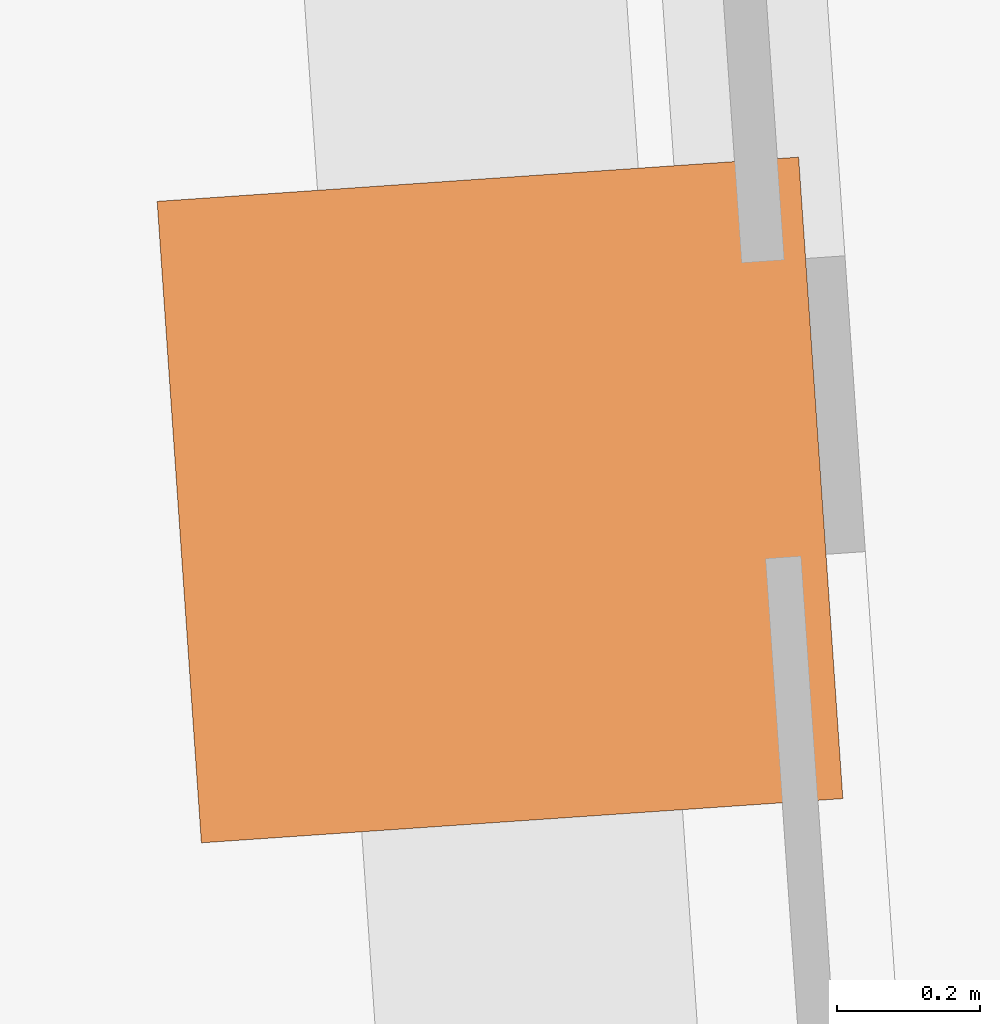
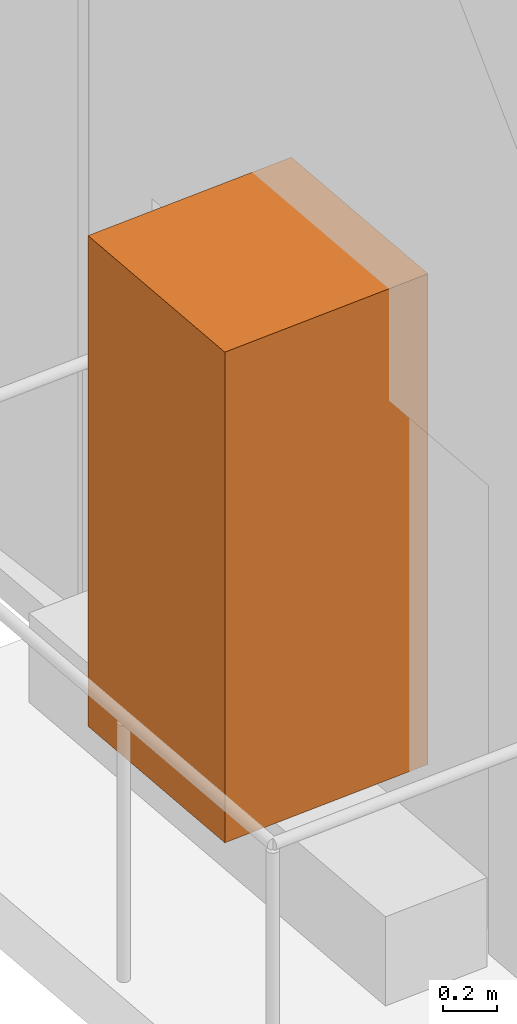
# One storey, part 14 of 14: 1 geographic element.
"""IFC4 building model written with IfcOpenShell, lengths in metres."""

from ifc_helpers import new_model, si_unit, direction, frame, origin, origin_2d, place, context, subcontext, project, spatial, rectangle, extrude, material, type_object, element, save


model = new_model("IFC4")

# Units and contexts
model_context = context("Model", 3, precision=1e-05, world=origin(), true_north=direction((0.0, 1.0)))
body_context = subcontext(model_context, "Body", "Model", "MODEL_VIEW")
ifc_project = project(units=[si_unit("LENGTHUNIT", "METRE"), si_unit("AREAUNIT", "SQUARE_METRE"), si_unit("VOLUMEUNIT", "CUBIC_METRE"), si_unit("PLANEANGLEUNIT", "RADIAN"), si_unit("MASSUNIT", "GRAM", prefix="KILO")], contexts=[model_context])

# Site, building, storey
site_placement = place(None, origin())
site = spatial("IfcSite", under=ifc_project, at=site_placement, CompositionType="ELEMENT")
building_placement = place(site_placement, origin())
building = spatial("IfcBuilding", under=site, at=building_placement, Name="Verdant Reach Tower", CompositionType="ELEMENT")
storey_placement = place(building_placement, frame((0.0, 0.0, 289.0)))
storey = spatial("IfcBuildingStorey", under=building, at=storey_placement, Name="L66", CompositionType="ELEMENT", Elevation=289.0)

# Geographic element
ifc_material = material(Name="Planting")
geographic_element_type = type_object("IfcGeographicElementType", Name="EN-TREE", PredefinedType="USERDEFINED", material=ifc_material)
geographic_element_placement = place(storey_placement, frame((-21.432373046875, 58.304443359375, 0.39990234375), z_axis=(0.0, 0.0, 1.0), x_axis=(0.068802091615, -0.997630328423, 0.0)))
element("IfcGeographicElement", 1, at=geographic_element_placement, inside=storey, type_object=geographic_element_type, Name="Balcony tree, Guabiroba (Campomanesia xanthocarpa), L66 1", ObjectType="TREE", PredefinedType="USERDEFINED", context=body_context, shape_type="SweptSolid", body=[
    extrude(rectangle(XDim=0.89990234375, YDim=0.89990234375, at=origin_2d()), origin(), (0.0, 0.0, 1.0), 2.199951171875),
])

save(model, "model.ifc")
